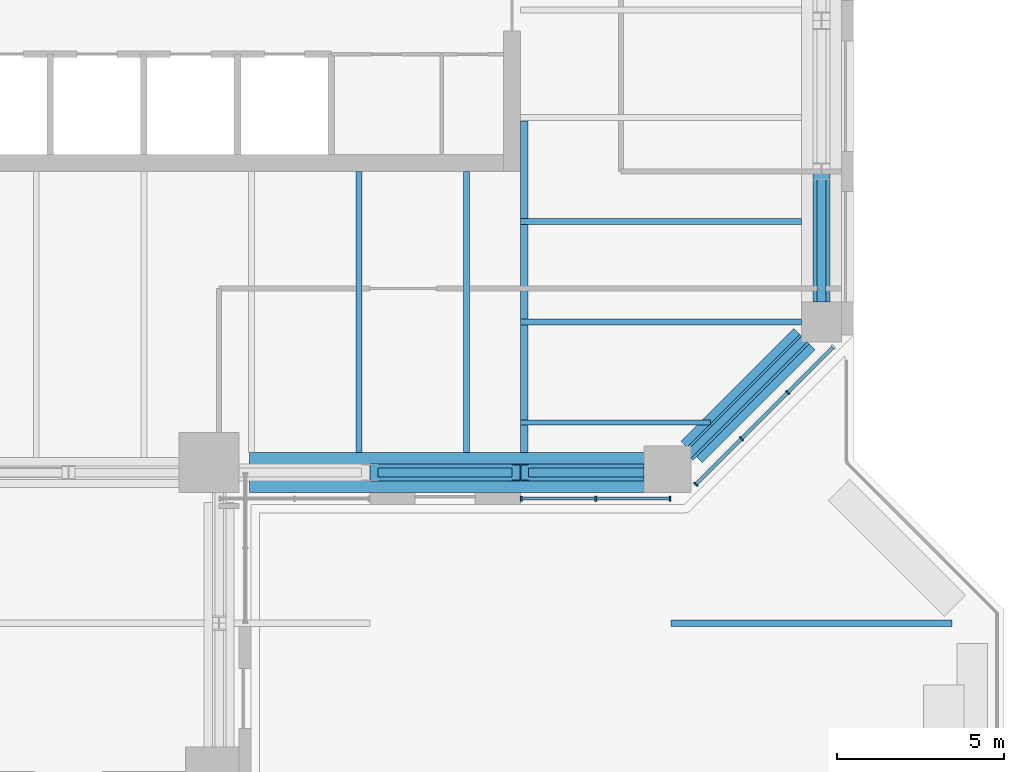
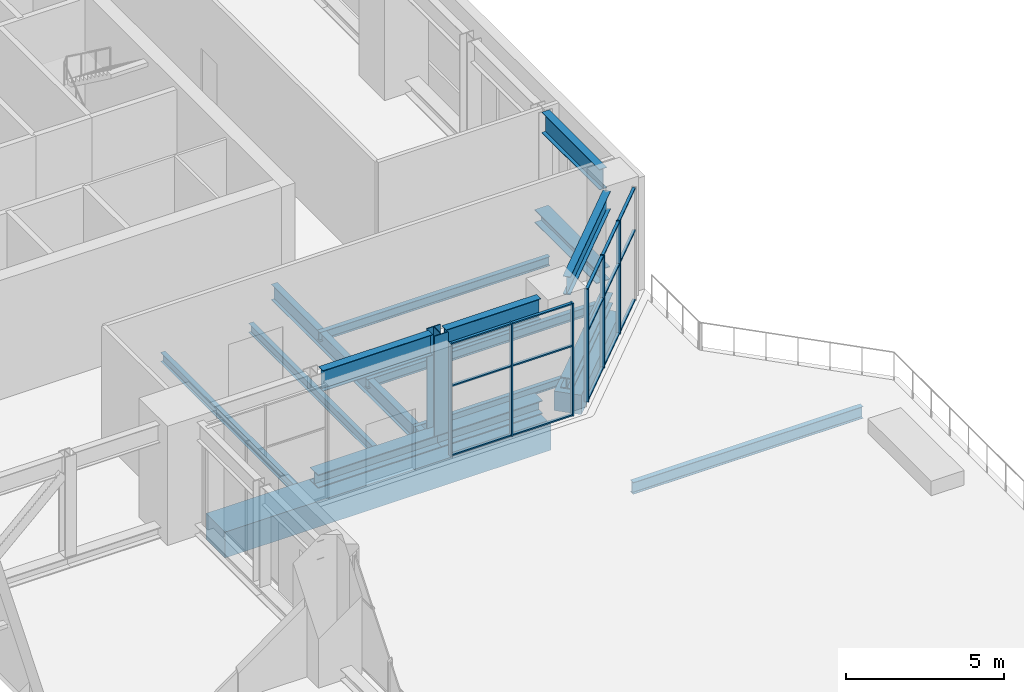
# One storey, part 7 of 21: 26 members, 13 beams, 2 elements without a shape of their own.
"""IFC4 building model written with IfcOpenShell, lengths in metres."""

import ifcopenshell
import ifcopenshell.guid

model = None  # the IFC model being written
_history = None  # IfcOwnerHistory: only IFC2X3 demands one
_inside = {}  # id of a spatial element -> (the spatial element, [elements in it])
_under = {}  # id of a project, library or spatial element -> (it, [spatial elements below it])
_declared = {}  # id of a project -> (the project, [libraries it declares])
_typed = {}  # id of a type object -> (the type object, [elements of that type])
_made_of = {}  # id of a material, layer set ... -> (it, [elements and type objects made of it])


def new_model(schema):
    """Start an empty IFC model of exactly this schema.

    Asked for "IFC4X3", IfcOpenShell would pick the latest addendum, in which some entities
    have other attributes; the version numbers below select the first issue.
    IFC2X3 requires an IfcOwnerHistory on every rooted entity: one is made here for all.
    """
    global model, _history
    if schema == "IFC4X3":
        model = ifcopenshell.file(schema_version=(4, 3, 0, 0))
    else:
        model = ifcopenshell.file(schema=schema)
    _inside.clear()
    _under.clear()
    _declared.clear()
    _typed.clear()
    _made_of.clear()
    _history = None
    if model.schema == "IFC2X3":
        org = make("IfcOrganization", Name="unknown")
        user = make(
            "IfcPersonAndOrganization",
            ThePerson=make("IfcPerson", FamilyName="unknown"),
            TheOrganization=org,
        )
        app = make(
            "IfcApplication",
            ApplicationDeveloper=org,
            Version="unknown",
            ApplicationFullName="unknown",
            ApplicationIdentifier="unknown",
        )
        _history = make(
            "IfcOwnerHistory",
            OwningUser=user,
            OwningApplication=app,
            ChangeAction="ADDED",
            CreationDate=0,
        )
    return model


def make(cls, **values):
    """One entity of the class cls with the attributes given. An attribute that is None is left unset."""
    return model.create_entity(
        cls, **{name: value for name, value in values.items() if value is not None}
    )


def rooted(cls, **values):
    """An entity with a GlobalId (a new one), such as an element, a storey or a relation."""
    return make(cls, GlobalId=ifcopenshell.guid.new(), OwnerHistory=_history, **values)


def si_unit(unit_type, name, prefix=None):
    """IfcSIUnit, for example si_unit("LENGTHUNIT", "METRE", prefix="MILLI")."""
    return make("IfcSIUnit", UnitType=unit_type, Prefix=prefix, Name=name)


def assignment(units):
    """IfcUnitAssignment: the units of a project."""
    return None if units is None else make("IfcUnitAssignment", Units=units)


def point(xyz):
    """IfcCartesianPoint."""
    return None if xyz is None else make("IfcCartesianPoint", Coordinates=xyz)


def direction(xyz):
    """IfcDirection."""
    return None if xyz is None else make("IfcDirection", DirectionRatios=xyz)


def frame(location, z_axis=None, x_axis=None):
    """IfcAxis2Placement3D, a coordinate frame: its origin and axes. An axis left out is left unset."""
    return make(
        "IfcAxis2Placement3D",
        Location=point(location),
        Axis=direction(z_axis),
        RefDirection=direction(x_axis),
    )


def frame_2d(location, x_axis=None):
    """IfcAxis2Placement2D, a coordinate frame in the plane: its origin and x axis."""
    return make(
        "IfcAxis2Placement2D", Location=point(location), RefDirection=direction(x_axis)
    )


def origin():
    """The frame at (0, 0, 0) with its axes left unset."""
    return frame((0.0, 0.0, 0.0))


def origin_2d():
    """The frame at (0, 0) in the plane with its x axis left unset."""
    return frame_2d((0.0, 0.0))


def place(relative_to, where):
    """IfcLocalPlacement: puts the frame where relative to a parent placement (None: the world)."""
    return make(
        "IfcLocalPlacement", PlacementRelTo=relative_to, RelativePlacement=where
    )


def context(
    kind, dimensions, precision=None, world=None, true_north=None, identifier=None
):
    """IfcGeometricRepresentationContext, for example the 3D "Model" context."""
    return make(
        "IfcGeometricRepresentationContext",
        ContextIdentifier=identifier,
        ContextType=kind,
        CoordinateSpaceDimension=dimensions,
        Precision=precision,
        WorldCoordinateSystem=world,
        TrueNorth=true_north,
    )


def subcontext(parent, identifier, kind, view, scale=None):
    """IfcGeometricRepresentationSubContext, for example "Body" below "Model"."""
    return make(
        "IfcGeometricRepresentationSubContext",
        ContextIdentifier=identifier,
        ContextType=kind,
        ParentContext=parent,
        TargetScale=scale,
        TargetView=view,
    )


def project(units=None, contexts=None):
    """IfcProject with its units and contexts."""
    return rooted(
        "IfcProject",
        Name="project",
        RepresentationContexts=contexts,
        UnitsInContext=assignment(units),
    )


def spatial(cls, under=None, at=None, **own):
    """A site, building, storey or space (cls), placed at a placement, below another one or the project."""
    s = rooted(cls, ObjectPlacement=at, **own)
    if under is not None:
        _under.setdefault(under.id(), (under, []))[1].append(s)
    return s


def profile(cls, at=None, kind="AREA", **sizes):
    """A parametric profile (cls). Its sizes go by their IFC names, for example OverallWidth=200.0."""
    return make(cls, ProfileType=kind, Position=at, **sizes)


def rectangle(**sizes):
    """IfcRectangleProfileDef."""
    return profile("IfcRectangleProfileDef", **sizes)


def i_section(**sizes):
    """IfcIShapeProfileDef."""
    return profile("IfcIShapeProfileDef", **sizes)


def extrude(swept, where, along, depth):
    """IfcExtrudedAreaSolid: the profile swept, set in the frame where, extruded along a direction by depth."""
    return make(
        "IfcExtrudedAreaSolid",
        SweptArea=swept,
        Position=where,
        ExtrudedDirection=direction(along),
        Depth=depth,
    )


def shape(context_of_items, identifier, shape_type, items):
    """IfcShapeRepresentation: the items that make up one representation, for example the "Body"."""
    return make(
        "IfcShapeRepresentation",
        ContextOfItems=context_of_items,
        RepresentationIdentifier=identifier,
        RepresentationType=shape_type,
        Items=items,
    )


def material(Name=None, Category=None):
    """IfcMaterial."""
    return make("IfcMaterial", Name=Name, Category=Category)


def constituent(of_material, Name=None, Category=None, fraction=None):
    """IfcMaterialConstituent: one of the materials an element consists of."""
    return make(
        "IfcMaterialConstituent",
        Name=Name,
        Material=of_material,
        Fraction=fraction,
        Category=Category,
    )


def constituent_set(constituents=None, Name=None):
    """IfcMaterialConstituentSet."""
    return make(
        "IfcMaterialConstituentSet", Name=Name, MaterialConstituents=constituents
    )


def material_profile(
    of_material, cross_section, Name=None, Category=None, Priority=None
):
    """IfcMaterialProfile: a cross section and its material."""
    return make(
        "IfcMaterialProfile",
        Name=Name,
        Material=of_material,
        Profile=cross_section,
        Priority=Priority,
        Category=Category,
    )


def profile_set(profiles, Name=None, composite=None):
    """IfcMaterialProfileSet."""
    return make(
        "IfcMaterialProfileSet",
        Name=Name,
        MaterialProfiles=profiles,
        CompositeProfile=composite,
    )


def made_of(thing, what):
    """Note that an element or type object is made of a material, layer set ...; save() writes the relation."""
    if what is not None:
        _made_of.setdefault(what.id(), (what, []))[1].append(thing)
    return thing


def type_object(cls, material=None, **own):
    """A type object (cls), such as IfcWallType, which elements share."""
    return made_of(rooted(cls, **own), material)


def element(
    cls,
    number,
    at=None,
    inside=None,
    cuts=None,
    type_object=None,
    material=None,
    context=None,
    identifier="Body",
    shape_type=None,
    held_by="IfcProductDefinitionShape",
    body=None,
    shapes=None,
    **own,
):
    """One element of the class cls, such as IfcWall. Its Tag is "e" and its number.

    at: its placement. inside: the storey or other place that contains it. cuts: it is an
    opening in that element (IfcRelVoidsElement). A single representation is given by context,
    identifier, shape_type and body (its items); several are given by shapes. held_by: the class
    of the entity that holds the representations. save() writes the other relations.
    """
    e = rooted(cls, Tag="e%d" % number, ObjectPlacement=at, **own)
    if body is not None:
        shapes = [shape(context, identifier, shape_type, body)]
    if shapes is not None:
        e.Representation = make(held_by, Representations=shapes)
    if inside is not None:
        _inside.setdefault(inside.id(), (inside, []))[1].append(e)
    if cuts is not None:
        rooted(
            "IfcRelVoidsElement", RelatingBuildingElement=cuts, RelatedOpeningElement=e
        )
    if type_object is not None:
        _typed.setdefault(type_object.id(), (type_object, []))[1].append(e)
    return made_of(e, material)


def aggregate(whole, parts):
    """IfcRelAggregates: a whole, such as a stair, and the parts it consists of."""
    return rooted("IfcRelAggregates", RelatingObject=whole, RelatedObjects=parts)


def save(model, path):
    """Write the relations noted so far, then the file.

    IfcRelAggregates (storeys below a building ...), IfcRelContainedInSpatialStructure (elements
    in a storey), IfcRelDefinesByType, IfcRelAssociatesMaterial and IfcRelDeclares: one each for
    every whole, place, type object, material and project.
    """
    for whole, parts in _under.values():
        aggregate(whole, parts)
    for where, things in _inside.values():
        rooted(
            "IfcRelContainedInSpatialStructure",
            RelatedElements=things,
            RelatingStructure=where,
        )
    for kind, things in _typed.values():
        rooted("IfcRelDefinesByType", RelatedObjects=things, RelatingType=kind)
    for what, things in _made_of.values():
        rooted("IfcRelAssociatesMaterial", RelatedObjects=things, RelatingMaterial=what)
    for by, libraries in _declared.values():
        rooted("IfcRelDeclares", RelatingContext=by, RelatedDefinitions=libraries)
    model.write(path)


model = new_model("IFC4")

# Units and contexts
model_context = context("Model", 3, precision=1e-05, world=origin(), true_north=direction((0.0, 1.0)))
body_context = subcontext(model_context, "Body", "Model", "MODEL_VIEW")
ifc_project = project(units=[si_unit("LENGTHUNIT", "METRE"), si_unit("AREAUNIT", "SQUARE_METRE"), si_unit("VOLUMEUNIT", "CUBIC_METRE"), si_unit("PLANEANGLEUNIT", "RADIAN"), si_unit("MASSUNIT", "GRAM", prefix="KILO")], contexts=[model_context])

# Site, building, storey
site_placement = place(None, origin())
site = spatial("IfcSite", under=ifc_project, at=site_placement, CompositionType="ELEMENT")
building_placement = place(site_placement, origin())
building = spatial("IfcBuilding", under=site, at=building_placement, Name="Quoin Convention Tower", CompositionType="ELEMENT")
storey_placement = place(building_placement, frame((0.0, 0.0, 18.5)))
storey = spatial("IfcBuildingStorey", under=building, at=storey_placement, Name="L03", CompositionType="ELEMENT", Elevation=18.5)

# Beams
ifc_material_1 = material(Name="Steel Grade 300", Category="steel")
ifc_material_profile_1 = material_profile(ifc_material_1, i_section(OverallWidth=0.14892578125, OverallDepth=0.298095703125, WebThickness=0.005615234375, FlangeThickness=0.008056640625, FilletRadius=0.012939453125, at=origin_2d()), Name="310UB32.0")
ifc_profile_set_1 = profile_set([ifc_material_profile_1], Name="Steel Grade 300")
beam_type_1 = type_object("IfcBeamType", Name="310UB32.0", PredefinedType="BEAM", material=ifc_profile_set_1)
beam_1_placement = place(storey_placement, frame((67.5, 42.0, -0.368896484375), z_axis=(1.0, 0.0, 0.0), x_axis=(0.0, 1.0, 0.0)))
element("IfcBeam", 1, at=beam_1_placement, inside=storey, type_object=beam_type_1, Name="bm-L03-T1SE0", PredefinedType="BEAM", context=body_context, shape_type="SweptSolid", body=[
    extrude(i_section(OverallWidth=0.14892578125, OverallDepth=0.298095703125, WebThickness=0.005615234375, FlangeThickness=0.008056640625, FilletRadius=0.012939453125, at=origin_2d()), origin(), (0.0, 0.0, 1.0), 5.68017578125),
])
ifc_material_profile_2 = material_profile(ifc_material_1, i_section(OverallWidth=0.1708984375, OverallDepth=0.35205078125, WebThickness=0.0068359375, FlangeThickness=0.009765625, FilletRadius=0.011474609375, at=origin_2d()), Name="360UB44.7")
ifc_profile_set_2 = profile_set([ifc_material_profile_2], Name="Steel Grade 300")
beam_type_2 = type_object("IfcBeamType", Name="360UB44.7", PredefinedType="BEAM", material=ifc_profile_set_2)
for number, where, z_axis, x_axis, name in (
    (2, (62.6787109375, 41.10009765625, -0.39599609375), (0.0, 1.0, 0.0), (-1.0, 0.0, 0.0), "bm-L03-T1S5"),
    (3, (65.892822265625, 41.10009765625, -0.39599609375), (0.0, 1.0, 0.0), (-1.0, 0.0, 0.0), "bm-L03-T1S6"),
    (4, (67.5, 45.0, -0.39599609375), (1.0, 0.0, 0.0), (0.0, 1.0, 0.0), "bm-L03-T1SE1"),
    (5, (67.5, 48.0, -0.39599609375), (1.0, 0.0, 0.0), (0.0, 1.0, 0.0), "bm-L03-T1SE2"),
):
    element("IfcBeam", number, at=place(storey_placement, frame(where, z_axis=z_axis, x_axis=x_axis)), inside=storey, type_object=beam_type_2, Name=name, PredefinedType="BEAM", context=body_context, shape_type="SweptSolid", body=[
        extrude(i_section(OverallWidth=0.1708984375, OverallDepth=0.35205078125, WebThickness=0.0068359375, FlangeThickness=0.009765625, FilletRadius=0.011474609375, at=origin_2d()), origin(), (0.0, 0.0, 1.0), 8.39990234375),
    ])

# Member
ifc_material_profile_3 = material_profile(ifc_material_1, i_section(OverallWidth=0.39990234375, OverallDepth=0.422119140625, WebThickness=0.028076171875, FlangeThickness=0.035888671875, at=origin_2d()), Name="400WC303")
ifc_profile_set_3 = profile_set([ifc_material_profile_3], Name="Steel Grade 300")
member_type_1 = type_object("IfcMemberType", Name="400WC303", PredefinedType="CHORD", material=ifc_profile_set_3)
member_1_placement = place(storey_placement, frame((72.51513671875, 41.01513671875, 0.257080078125), z_axis=(0.707106781187, 0.707106781187, 0.0), x_axis=(-0.707106781187, 0.707106781187, 0.0)))
element("IfcMember", 6, at=member_1_placement, inside=storey, type_object=member_type_1, Name="Transfer girder L03 bottom chord 72000_40500-76500_45000", PredefinedType="CHORD", context=body_context, shape_type="SweptSolid", body=[
    extrude(i_section(OverallWidth=0.39990234375, OverallDepth=0.422119140625, WebThickness=0.028076171875, FlangeThickness=0.035888671875, at=origin_2d()), origin(), (0.0, 0.0, 1.0), 4.906982421875),
])

# Beam
ifc_material_profile_4 = material_profile(ifc_material_1, i_section(OverallWidth=0.18994140625, OverallDepth=0.4541015625, WebThickness=0.008544921875, FlangeThickness=0.0126953125, FilletRadius=0.011474609375, at=origin_2d()), Name="460UB67.1")
ifc_profile_set_4 = profile_set([ifc_material_profile_4], Name="Steel Grade 300")
beam_type_3 = type_object("IfcBeamType", Name="460UB67.1", PredefinedType="BEAM", material=ifc_profile_set_4)
beam_2_placement = place(storey_placement, frame((72.0, 36.0, -0.527099609375), z_axis=(1.0, 0.0, 0.0), x_axis=(0.0, 1.0, 0.0)))
element("IfcBeam", 7, at=beam_2_placement, inside=storey, type_object=beam_type_3, Name="gir-L03-RT5-4-1", PredefinedType="BEAM", context=body_context, shape_type="SweptSolid", body=[
    extrude(i_section(OverallWidth=0.18994140625, OverallDepth=0.4541015625, WebThickness=0.008544921875, FlangeThickness=0.0126953125, FilletRadius=0.011474609375, at=origin_2d()), origin(), (0.0, 0.0, 1.0), 8.39990234375),
])

# Members
ifc_material_profile_5 = material_profile(ifc_material_1, i_section(OverallWidth=0.5, OverallDepth=0.513916015625, WebThickness=0.02490234375, FlangeThickness=0.031982421875, at=origin_2d()), Name="500WC340")
ifc_profile_set_5 = profile_set([ifc_material_profile_5], Name="Steel Grade 300")
member_type_2 = type_object("IfcMemberType", Name="500WC340", PredefinedType="CHORD", material=ifc_profile_set_5)
member_2_placement = place(storey_placement, frame((63.0, 40.5, 0.257080078125), z_axis=(1.0, 0.0, 0.0), x_axis=(0.0, 1.0, 0.0)))
element("IfcMember", 8, at=member_2_placement, inside=storey, type_object=member_type_2, Name="Transfer girder L03 bottom chord 63000_40500-67500_40500", PredefinedType="CHORD", context=body_context, shape_type="SweptSolid", body=[
    extrude(i_section(OverallWidth=0.5, OverallDepth=0.513916015625, WebThickness=0.02490234375, FlangeThickness=0.031982421875, at=origin_2d()), origin(), (0.0, 0.0, 1.0), 4.5),
])
member_3_placement = place(storey_placement, frame((67.5, 40.5, 0.257080078125), z_axis=(1.0, 0.0, 0.0), x_axis=(0.0, 1.0, 0.0)))
element("IfcMember", 9, at=member_3_placement, inside=storey, type_object=member_type_2, Name="Transfer girder L03 bottom chord 67500_40500-72000_40500", PredefinedType="CHORD", context=body_context, shape_type="SweptSolid", body=[
    extrude(i_section(OverallWidth=0.5, OverallDepth=0.513916015625, WebThickness=0.02490234375, FlangeThickness=0.031982421875, at=origin_2d()), origin(), (0.0, 0.0, 1.0), 3.699951171875),
])
member_4_placement = place(storey_placement, frame((76.5, 45.60009765625, 0.257080078125), z_axis=(0.0, 1.0, 0.0), x_axis=(-1.0, 0.0, 0.0)))
element("IfcMember", 10, at=member_4_placement, inside=storey, type_object=member_type_2, Name="Transfer girder L03 bottom chord 76500_45000-76500_49500", PredefinedType="CHORD", context=body_context, shape_type="SweptSolid", body=[
    extrude(i_section(OverallWidth=0.5, OverallDepth=0.513916015625, WebThickness=0.02490234375, FlangeThickness=0.031982421875, at=origin_2d()), origin(), (0.0, 0.0, 1.0), 3.89990234375),
])
ifc_material_profile_6 = material_profile(ifc_material_1, i_section(OverallWidth=0.5, OverallDepth=0.513916015625, WebThickness=0.02490234375, FlangeThickness=0.031982421875, at=origin_2d()), Name="500WC340")
ifc_profile_set_6 = profile_set([ifc_material_profile_6], Name="Steel Grade 300")
member_type_3 = type_object("IfcMemberType", Name="500WC340 transfer post", PredefinedType="POST", material=ifc_profile_set_6)
member_5_placement = place(storey_placement, frame((67.5, 40.5, 0.513916015625), z_axis=(0.0, 0.0, 1.0), x_axis=(1.0, 0.0, 0.0)))
element("IfcMember", 11, at=member_5_placement, inside=storey, type_object=member_type_3, Name="Transfer girder L03 post 67500_40500", PredefinedType="POST", context=body_context, shape_type="SweptSolid", body=[
    extrude(i_section(OverallWidth=0.5, OverallDepth=0.513916015625, WebThickness=0.02490234375, FlangeThickness=0.031982421875, at=origin_2d()), origin(), (0.0, 0.0, 1.0), 3.865966796875),
])

# Beams
ifc_material_profile_7 = material_profile(ifc_material_1, i_section(OverallWidth=0.22802734375, OverallDepth=0.60205078125, WebThickness=0.010498046875, FlangeThickness=0.014892578125, FilletRadius=0.013916015625, at=origin_2d()), Name="610UB101")
ifc_profile_set_7 = profile_set([ifc_material_profile_7], Name="Steel Grade 300")
beam_type_4 = type_object("IfcBeamType", Name="610UB101", PredefinedType="BEAM", material=ifc_profile_set_7)
beam_3_placement = place(storey_placement, frame((67.614013671875, 41.10009765625, -0.52099609375), z_axis=(0.0, 1.0, 0.0), x_axis=(-1.0, 0.0, 0.0)))
element("IfcBeam", 12, at=beam_3_placement, inside=storey, type_object=beam_type_4, Name="gir-L03-T1SE", PredefinedType="BEAM", context=body_context, shape_type="SweptSolid", body=[
    extrude(i_section(OverallWidth=0.22802734375, OverallDepth=0.60205078125, WebThickness=0.010498046875, FlangeThickness=0.014892578125, FilletRadius=0.013916015625, at=origin_2d()), origin(), (0.0, 0.0, 1.0), 9.902587890625),
])
ifc_material_profile_8 = material_profile(ifc_material_1, i_section(OverallWidth=0.25, OverallDepth=0.699951171875, WebThickness=0.010009765625, FlangeThickness=0.02001953125, at=origin_2d()), Name="700WB130")
ifc_profile_set_8 = profile_set([ifc_material_profile_8], Name="Steel Grade 300")
beam_type_5 = type_object("IfcBeamType", Name="700WB130", PredefinedType="BEAM", material=ifc_profile_set_8)
beam_4_placement = place(storey_placement, frame((72.51513671875, 41.01513671875, 4.030029296875), z_axis=(0.707106781187, 0.707106781187, 0.0), x_axis=(-0.707106781187, 0.707106781187, 0.0)))
element("IfcBeam", 13, at=beam_4_placement, inside=storey, type_object=beam_type_5, Name="Transfer girder L03 top chord 72000_40500-76500_45000", PredefinedType="BEAM", context=body_context, shape_type="SweptSolid", body=[
    extrude(i_section(OverallWidth=0.25, OverallDepth=0.699951171875, WebThickness=0.010009765625, FlangeThickness=0.02001953125, at=origin_2d()), origin(), (0.0, 0.0, 1.0), 4.906982421875),
])
ifc_material_profile_9 = material_profile(ifc_material_1, i_section(OverallWidth=0.27490234375, OverallDepth=0.800048828125, WebThickness=0.010009765625, FlangeThickness=0.02001953125, at=origin_2d()), Name="800WB146")
ifc_profile_set_9 = profile_set([ifc_material_profile_9], Name="Steel Grade 300")
beam_type_6 = type_object("IfcBeamType", Name="800WB146", PredefinedType="BEAM", material=ifc_profile_set_9)
beam_5_placement = place(storey_placement, frame((63.25, 40.5, 3.97998046875), z_axis=(1.0, 0.0, 0.0), x_axis=(0.0, 1.0, 0.0)))
element("IfcBeam", 14, at=beam_5_placement, inside=storey, type_object=beam_type_6, Name="Transfer girder L03 top chord 63000_40500-67500_40500", PredefinedType="BEAM", context=body_context, shape_type="SweptSolid", body=[
    extrude(i_section(OverallWidth=0.27490234375, OverallDepth=0.800048828125, WebThickness=0.010009765625, FlangeThickness=0.02001953125, at=origin_2d()), origin(), (0.0, 0.0, 1.0), 4.0),
])
beam_6_placement = place(storey_placement, frame((67.75, 40.5, 3.97998046875), z_axis=(1.0, 0.0, 0.0), x_axis=(0.0, 1.0, 0.0)))
element("IfcBeam", 15, at=beam_6_placement, inside=storey, type_object=beam_type_6, Name="Transfer girder L03 top chord 67500_40500-72000_40500", PredefinedType="BEAM", context=body_context, shape_type="SweptSolid", body=[
    extrude(i_section(OverallWidth=0.27490234375, OverallDepth=0.800048828125, WebThickness=0.010009765625, FlangeThickness=0.02001953125, at=origin_2d()), origin(), (0.0, 0.0, 1.0), 3.449951171875),
])
beam_7_placement = place(storey_placement, frame((76.5, 45.60009765625, 3.97998046875), z_axis=(0.0, 1.0, 0.0), x_axis=(-1.0, 0.0, 0.0)))
element("IfcBeam", 16, at=beam_7_placement, inside=storey, type_object=beam_type_6, Name="Transfer girder L03 top chord 76500_45000-76500_49500", PredefinedType="BEAM", context=body_context, shape_type="SweptSolid", body=[
    extrude(i_section(OverallWidth=0.27490234375, OverallDepth=0.800048828125, WebThickness=0.010009765625, FlangeThickness=0.02001953125, at=origin_2d()), origin(), (0.0, 0.0, 1.0), 3.64990234375),
])
ifc_material_2 = material(Name="Concrete C80", Category="concrete")
ifc_material_profile_10 = material_profile(ifc_material_2, rectangle(XDim=1.199951171875, YDim=1.0, at=origin_2d()), Name="RC 1200x1000")
ifc_profile_set_10 = profile_set([ifc_material_profile_10], Name="Concrete C80")
beam_type_7 = type_object("IfcBeamType", Name="RC 1200x1000 C80", PredefinedType="SPANDREL", material=ifc_profile_set_10)
beam_8_placement = place(storey_placement, frame((59.39990234375, 40.5, -0.719970703125), z_axis=(1.0, 0.0, 0.0), x_axis=(0.0, 1.0, 0.0)))
element("IfcBeam", 17, at=beam_8_placement, inside=storey, type_object=beam_type_7, Name="spd-L03-58500_40500-72000_40500", PredefinedType="SPANDREL", context=body_context, shape_type="SweptSolid", body=[
    extrude(rectangle(XDim=1.199951171875, YDim=1.0, at=origin_2d()), origin(), (0.0, 0.0, 1.0), 11.900146484375),
])
ifc_material_profile_11 = material_profile(ifc_material_2, rectangle(XDim=0.89990234375, YDim=0.75, at=origin_2d()), Name="RC 900x750")
ifc_profile_set_11 = profile_set([ifc_material_profile_11], Name="Concrete C80")
beam_type_8 = type_object("IfcBeamType", Name="RC 900x750 C80", PredefinedType="SPANDREL", material=ifc_profile_set_11)
beam_9_placement = place(storey_placement, frame((72.614990234375, 41.114990234375, -0.594970703125), z_axis=(0.707106781187, 0.707106781187, 0.0), x_axis=(-0.707106781187, 0.707106781187, 0.0)))
element("IfcBeam", 18, at=beam_9_placement, inside=storey, type_object=beam_type_8, Name="spd-L03-72000_40500-76500_45000", PredefinedType="SPANDREL", context=body_context, shape_type="SweptSolid", body=[
    extrude(rectangle(XDim=0.89990234375, YDim=0.75, at=origin_2d()), origin(), (0.0, 0.0, 1.0), 4.765625),
])

# Curtain wall, members
ifc_material_3 = material(Name="Aluminium", Category="aluminium")
ifc_constituent_1 = constituent(ifc_material_3, Name="Frame")
ifc_material_4 = material(Name="Insulated glass", Category="glass")
ifc_constituent_2 = constituent(ifc_material_4, Name="Glazing")
ifc_constituent_set = constituent_set(constituents=[ifc_constituent_1, ifc_constituent_2], Name="Aluminium")
curtain_wall_type = type_object("IfcCurtainWallType", Name="Sky lobby glazing system", PredefinedType="NOTDEFINED", material=ifc_constituent_set)
curtain_wall_1_placement = place(storey_placement, origin())
curtain_wall_1 = element("IfcCurtainWall", 19, at=curtain_wall_1_placement, inside=storey, type_object=curtain_wall_type, Name="cw-SKY-L03-67500_39725", PredefinedType="NOTDEFINED")
ifc_material_profile_12 = material_profile(ifc_material_3, rectangle(XDim=0.14990234375, YDim=0.050048828125, at=origin_2d()), Name="Sky lobby glazing mullion 50x150")
ifc_profile_set_12 = profile_set([ifc_material_profile_12], Name="Aluminium")
member_type_4 = type_object("IfcMemberType", Name="Sky lobby glazing mullion 50x150", PredefinedType="MULLION", material=ifc_profile_set_12)
member_6_placement = place(storey_placement, frame((67.52490234375, 39.72509765625, 0.0), z_axis=(0.0, 0.0, 1.0), x_axis=(0.0, 1.0, 0.0)))
member_6 = element("IfcMember", 20, at=member_6_placement, type_object=member_type_4, Name="CW3 mullion 1", PredefinedType="MULLION", context=body_context, shape_type="SweptSolid", body=[
    extrude(rectangle(XDim=0.14990234375, YDim=0.050048828125, at=origin_2d()), origin(), (0.0, 0.0, 1.0), 4.35498046875),
])
member_7_placement = place(storey_placement, frame((69.75, 39.72509765625, 0.0), z_axis=(0.0, 0.0, 1.0), x_axis=(0.0, 1.0, 0.0)))
member_7 = element("IfcMember", 21, at=member_7_placement, type_object=member_type_4, Name="CW3 mullion 2", PredefinedType="MULLION", context=body_context, shape_type="SweptSolid", body=[
    extrude(rectangle(XDim=0.14990234375, YDim=0.050048828125, at=origin_2d()), origin(), (0.0, 0.0, 1.0), 4.35498046875),
])
member_8_placement = place(storey_placement, frame((71.97509765625, 39.72509765625, 0.0), z_axis=(0.0, 0.0, 1.0), x_axis=(0.0, 1.0, 0.0)))
member_8 = element("IfcMember", 22, at=member_8_placement, type_object=member_type_4, Name="CW3 mullion 3", PredefinedType="MULLION", context=body_context, shape_type="SweptSolid", body=[
    extrude(rectangle(XDim=0.14990234375, YDim=0.050048828125, at=origin_2d()), origin(), (0.0, 0.0, 1.0), 4.35498046875),
])

curtain_wall_2_placement = place(storey_placement, origin())
curtain_wall_2 = element("IfcCurtainWall", 23, at=curtain_wall_2_placement, inside=storey, type_object=curtain_wall_type, Name="cw-SKY-L03-72548_39952", PredefinedType="NOTDEFINED")
member_9_placement = place(storey_placement, frame((72.742431640625, 40.146484375, 0.0), z_axis=(0.0, 0.0, 1.0), x_axis=(-0.707106781187, 0.707106781187, 0.0)))
member_9 = element("IfcMember", 24, at=member_9_placement, type_object=member_type_4, Name="CW3 mullion 1", PredefinedType="MULLION", context=body_context, shape_type="SweptSolid", body=[
    extrude(rectangle(XDim=0.14990234375, YDim=0.050048828125, at=origin_2d()), origin(), (0.0, 0.0, 1.0), 4.35498046875),
])
member_10_placement = place(storey_placement, frame((74.106689453125, 41.510498046875, 0.0), z_axis=(0.0, 0.0, 1.0), x_axis=(-0.707106781187, 0.707106781187, 0.0)))
member_10 = element("IfcMember", 25, at=member_10_placement, type_object=member_type_4, Name="CW3 mullion 2", PredefinedType="MULLION", context=body_context, shape_type="SweptSolid", body=[
    extrude(rectangle(XDim=0.14990234375, YDim=0.050048828125, at=origin_2d()), origin(), (0.0, 0.0, 1.0), 4.35498046875),
])
member_11_placement = place(storey_placement, frame((75.48828125, 42.892333984375, 0.0), z_axis=(0.0, 0.0, 1.0), x_axis=(-0.707106781187, 0.707106781187, 0.0)))
member_11 = element("IfcMember", 26, at=member_11_placement, type_object=member_type_4, Name="CW3 mullion 3", PredefinedType="MULLION", context=body_context, shape_type="SweptSolid", body=[
    extrude(rectangle(XDim=0.14990234375, YDim=0.050048828125, at=origin_2d()), origin(), (0.0, 0.0, 1.0), 4.35498046875),
])

# Member
ifc_material_profile_13 = material_profile(ifc_material_3, rectangle(XDim=0.10009765625, YDim=0.050048828125, at=origin_2d()), Name="Sky lobby glazing transom 50x100")
ifc_profile_set_13 = profile_set([ifc_material_profile_13], Name="Aluminium")
member_type_5 = type_object("IfcMemberType", Name="Sky lobby glazing transom 50x100", PredefinedType="USERDEFINED", material=ifc_profile_set_13)
member_12_placement = place(storey_placement, frame((67.550048828125, 39.72509765625, 0.02490234375), z_axis=(1.0, 0.0, 0.0), x_axis=(0.0, 1.0, 0.0)))
member_12 = element("IfcMember", 27, at=member_12_placement, type_object=member_type_5, Name="CW3 transom 1.1", ObjectType="TRANSOM", PredefinedType="USERDEFINED", context=body_context, shape_type="SweptSolid", body=[
    extrude(rectangle(XDim=0.10009765625, YDim=0.050048828125, at=origin_2d()), origin(), (0.0, 0.0, 1.0), 2.175048828125),
])

member_13_placement = place(storey_placement, frame((67.550048828125, 39.72509765625, 2.699951171875), z_axis=(1.0, 0.0, 0.0), x_axis=(0.0, 1.0, 0.0)))
member_13 = element("IfcMember", 28, at=member_13_placement, type_object=member_type_5, Name="CW3 transom 1.2", ObjectType="TRANSOM", PredefinedType="USERDEFINED", context=body_context, shape_type="SweptSolid", body=[
    extrude(rectangle(XDim=0.10009765625, YDim=0.050048828125, at=origin_2d()), origin(), (0.0, 0.0, 1.0), 2.175048828125),
])

member_14_placement = place(storey_placement, frame((67.550048828125, 39.72509765625, 4.330078125), z_axis=(1.0, 0.0, 0.0), x_axis=(0.0, 1.0, 0.0)))
member_14 = element("IfcMember", 29, at=member_14_placement, type_object=member_type_5, Name="CW3 transom 1.3", ObjectType="TRANSOM", PredefinedType="USERDEFINED", context=body_context, shape_type="SweptSolid", body=[
    extrude(rectangle(XDim=0.10009765625, YDim=0.050048828125, at=origin_2d()), origin(), (0.0, 0.0, 1.0), 2.175048828125),
])

member_15_placement = place(storey_placement, frame((69.77490234375, 39.72509765625, 0.02490234375), z_axis=(1.0, 0.0, 0.0), x_axis=(0.0, 1.0, 0.0)))
member_15 = element("IfcMember", 30, at=member_15_placement, type_object=member_type_5, Name="CW3 transom 2.1", ObjectType="TRANSOM", PredefinedType="USERDEFINED", context=body_context, shape_type="SweptSolid", body=[
    extrude(rectangle(XDim=0.10009765625, YDim=0.050048828125, at=origin_2d()), origin(), (0.0, 0.0, 1.0), 2.175048828125),
])

member_16_placement = place(storey_placement, frame((69.77490234375, 39.72509765625, 2.699951171875), z_axis=(1.0, 0.0, 0.0), x_axis=(0.0, 1.0, 0.0)))
member_16 = element("IfcMember", 31, at=member_16_placement, type_object=member_type_5, Name="CW3 transom 2.2", ObjectType="TRANSOM", PredefinedType="USERDEFINED", context=body_context, shape_type="SweptSolid", body=[
    extrude(rectangle(XDim=0.10009765625, YDim=0.050048828125, at=origin_2d()), origin(), (0.0, 0.0, 1.0), 2.175048828125),
])

member_17_placement = place(storey_placement, frame((69.77490234375, 39.72509765625, 4.330078125), z_axis=(1.0, 0.0, 0.0), x_axis=(0.0, 1.0, 0.0)))
member_17 = element("IfcMember", 32, at=member_17_placement, type_object=member_type_5, Name="CW3 transom 2.3", ObjectType="TRANSOM", PredefinedType="USERDEFINED", context=body_context, shape_type="SweptSolid", body=[
    extrude(rectangle(XDim=0.10009765625, YDim=0.050048828125, at=origin_2d()), origin(), (0.0, 0.0, 1.0), 2.175048828125),
])

aggregate(curtain_wall_1, [member_6, member_7, member_8, member_12, member_13, member_14, member_15, member_16, member_17])

member_18_placement = place(storey_placement, frame((72.76025390625, 40.1640625, 0.02490234375), z_axis=(0.707041816624, 0.707171739781, 0.0), x_axis=(-0.707171739781, 0.707041816624, 0.0)))
member_18 = element("IfcMember", 33, at=member_18_placement, type_object=member_type_5, Name="CW3 transom 1.1", ObjectType="TRANSOM", PredefinedType="USERDEFINED", context=body_context, shape_type="SweptSolid", body=[
    extrude(rectangle(XDim=0.10009765625, YDim=0.050048828125, at=origin_2d()), origin(), (0.0, 0.0, 1.0), 1.879150390625),
])

member_19_placement = place(storey_placement, frame((72.76025390625, 40.1640625, 2.699951171875), z_axis=(0.707041816624, 0.707171739781, 0.0), x_axis=(-0.707171739781, 0.707041816624, 0.0)))
member_19 = element("IfcMember", 34, at=member_19_placement, type_object=member_type_5, Name="CW3 transom 1.2", ObjectType="TRANSOM", PredefinedType="USERDEFINED", context=body_context, shape_type="SweptSolid", body=[
    extrude(rectangle(XDim=0.10009765625, YDim=0.050048828125, at=origin_2d()), origin(), (0.0, 0.0, 1.0), 1.879150390625),
])

member_20_placement = place(storey_placement, frame((72.76025390625, 40.1640625, 4.330078125), z_axis=(0.707041816624, 0.707171739781, 0.0), x_axis=(-0.707171739781, 0.707041816624, 0.0)))
member_20 = element("IfcMember", 35, at=member_20_placement, type_object=member_type_5, Name="CW3 transom 1.3", ObjectType="TRANSOM", PredefinedType="USERDEFINED", context=body_context, shape_type="SweptSolid", body=[
    extrude(rectangle(XDim=0.10009765625, YDim=0.050048828125, at=origin_2d()), origin(), (0.0, 0.0, 1.0), 1.879150390625),
])

member_21_placement = place(storey_placement, frame((74.124267578125, 41.5283203125, 0.02490234375), z_axis=(0.707106781187, 0.707106781187, 0.0), x_axis=(-0.707106781187, 0.707106781187, 0.0)))
member_21 = element("IfcMember", 36, at=member_21_placement, type_object=member_type_5, Name="CW3 transom 2.1", ObjectType="TRANSOM", PredefinedType="USERDEFINED", context=body_context, shape_type="SweptSolid", body=[
    extrude(rectangle(XDim=0.10009765625, YDim=0.050048828125, at=origin_2d()), origin(), (0.0, 0.0, 1.0), 1.904052734375),
])

member_22_placement = place(storey_placement, frame((74.124267578125, 41.5283203125, 2.699951171875), z_axis=(0.707106781187, 0.707106781187, 0.0), x_axis=(-0.707106781187, 0.707106781187, 0.0)))
member_22 = element("IfcMember", 37, at=member_22_placement, type_object=member_type_5, Name="CW3 transom 2.2", ObjectType="TRANSOM", PredefinedType="USERDEFINED", context=body_context, shape_type="SweptSolid", body=[
    extrude(rectangle(XDim=0.10009765625, YDim=0.050048828125, at=origin_2d()), origin(), (0.0, 0.0, 1.0), 1.904052734375),
])

member_23_placement = place(storey_placement, frame((74.124267578125, 41.5283203125, 4.330078125), z_axis=(0.707106781187, 0.707106781187, 0.0), x_axis=(-0.707106781187, 0.707106781187, 0.0)))
member_23 = element("IfcMember", 38, at=member_23_placement, type_object=member_type_5, Name="CW3 transom 2.3", ObjectType="TRANSOM", PredefinedType="USERDEFINED", context=body_context, shape_type="SweptSolid", body=[
    extrude(rectangle(XDim=0.10009765625, YDim=0.050048828125, at=origin_2d()), origin(), (0.0, 0.0, 1.0), 1.904052734375),
])

member_24_placement = place(storey_placement, frame((75.506103515625, 42.91015625, 0.02490234375), z_axis=(0.707171739781, 0.707041816624, 0.0), x_axis=(-0.707041816624, 0.707171739781, 0.0)))
member_24 = element("IfcMember", 39, at=member_24_placement, type_object=member_type_5, Name="CW3 transom 3.1", ObjectType="TRANSOM", PredefinedType="USERDEFINED", context=body_context, shape_type="SweptSolid", body=[
    extrude(rectangle(XDim=0.10009765625, YDim=0.050048828125, at=origin_2d()), origin(), (0.0, 0.0, 1.0), 1.879150390625),
])

member_25_placement = place(storey_placement, frame((75.506103515625, 42.91015625, 2.699951171875), z_axis=(0.707171739781, 0.707041816624, 0.0), x_axis=(-0.707041816624, 0.707171739781, 0.0)))
member_25 = element("IfcMember", 40, at=member_25_placement, type_object=member_type_5, Name="CW3 transom 3.2", ObjectType="TRANSOM", PredefinedType="USERDEFINED", context=body_context, shape_type="SweptSolid", body=[
    extrude(rectangle(XDim=0.10009765625, YDim=0.050048828125, at=origin_2d()), origin(), (0.0, 0.0, 1.0), 1.879150390625),
])

member_26_placement = place(storey_placement, frame((75.506103515625, 42.91015625, 4.330078125), z_axis=(0.707171739781, 0.707041816624, 0.0), x_axis=(-0.707041816624, 0.707171739781, 0.0)))
member_26 = element("IfcMember", 41, at=member_26_placement, type_object=member_type_5, Name="CW3 transom 3.3", ObjectType="TRANSOM", PredefinedType="USERDEFINED", context=body_context, shape_type="SweptSolid", body=[
    extrude(rectangle(XDim=0.10009765625, YDim=0.050048828125, at=origin_2d()), origin(), (0.0, 0.0, 1.0), 1.879150390625),
])

aggregate(curtain_wall_2, [member_9, member_10, member_11, member_18, member_19, member_20, member_21, member_22, member_23, member_24, member_25, member_26])

save(model, "model.ifc")
